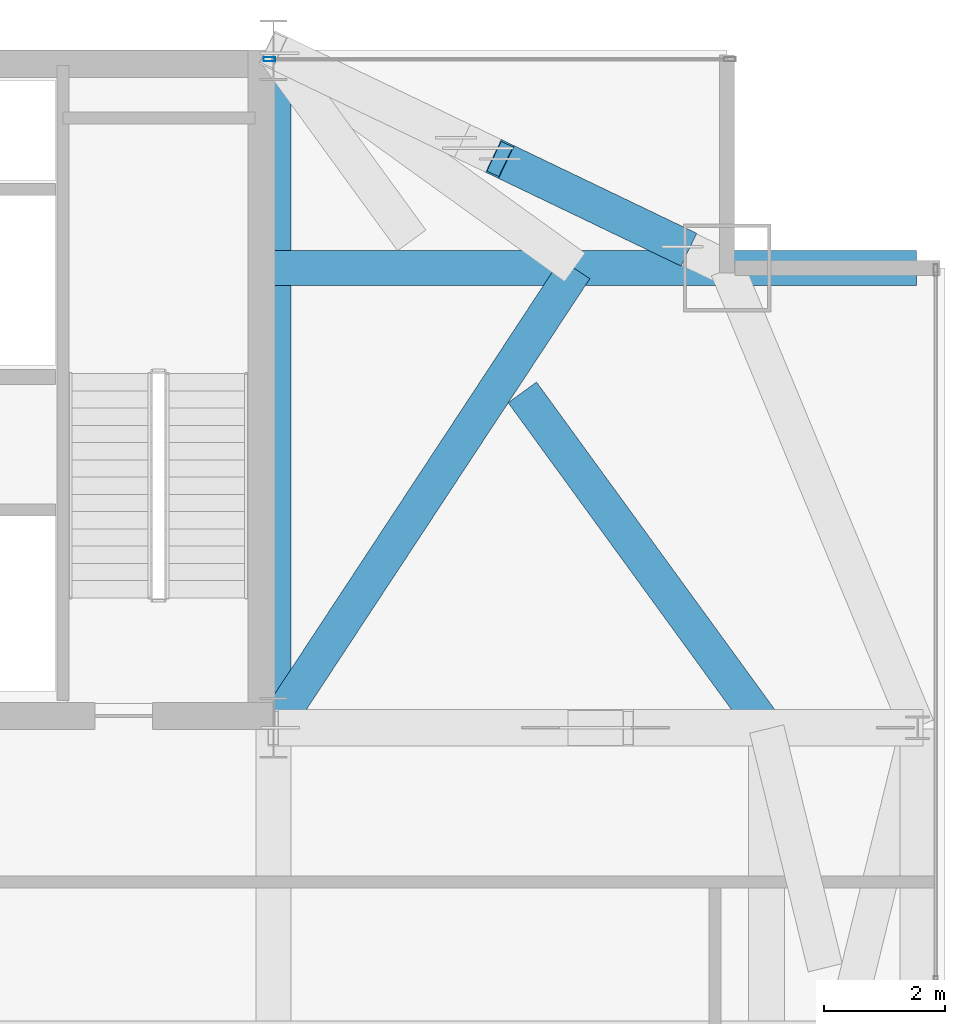
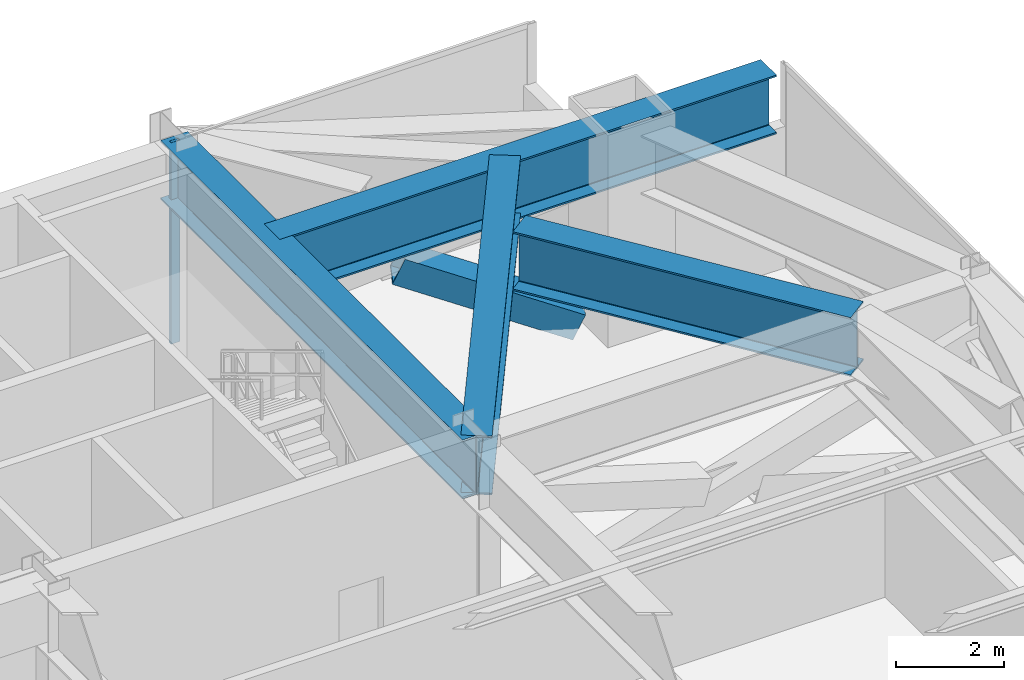
# One storey, part 23 of 32: 4 beams, 2 members, 1 element without a shape of its own.
"""IFC4 building model written with IfcOpenShell, lengths in metres."""

from ifc_helpers import new_model, si_unit, direction, frame, origin, origin_2d, place, context, subcontext, project, spatial, hollow_rectangle, i_section, extrude, source, transform, mapped, material, layer, layer_set, material_profile, profile_set, type_object, type_shapes, element, aggregate, save


model = new_model("IFC4")

# Units and contexts
model_context = context("Model", 3, precision=1e-05, world=origin(), true_north=direction((0.0, 1.0)))
body_context = subcontext(model_context, "Body", "Model", "MODEL_VIEW")
ifc_project = project(units=[si_unit("LENGTHUNIT", "METRE"), si_unit("AREAUNIT", "SQUARE_METRE"), si_unit("VOLUMEUNIT", "CUBIC_METRE"), si_unit("PLANEANGLEUNIT", "RADIAN"), si_unit("MASSUNIT", "GRAM", prefix="KILO")], contexts=[model_context])

# Site, building, storey
site_placement = place(None, origin())
site = spatial("IfcSite", under=ifc_project, at=site_placement, CompositionType="ELEMENT")
building_placement = place(site_placement, origin())
building = spatial("IfcBuilding", under=site, at=building_placement, Name="Varnel Quay Broadcast Tower", CompositionType="ELEMENT")
storey_placement = place(building_placement, frame((0.0, 0.0, 141.0)))
storey = spatial("IfcBuildingStorey", under=building, at=storey_placement, Name="L34", CompositionType="ELEMENT", Elevation=141.0)

# Beams
ifc_material_1 = material(Name="Structural Steel CSA G40.21 350WT", Category="steel")
ifc_material_profile_1 = material_profile(ifc_material_1, i_section(OverallWidth=0.580078125, OverallDepth=1.330078125, WebThickness=0.02197265625, FlangeThickness=0.0380859375, FilletRadius=0.02001953125, at=origin_2d()), Name="WWF1330X535")
ifc_profile_set_1 = profile_set([ifc_material_profile_1], Name="Structural Steel CSA G40.21 350WT")
beam_type = type_object("IfcBeamType", Name="Girder_WWF1330X535", PredefinedType="BEAM", material=ifc_profile_set_1)
shared_shape_1 = source(origin(), body_context, "Body", "SweptSolid", [
    extrude(i_section(OverallWidth=0.580078125, OverallDepth=1.330078125, WebThickness=0.02197265625, FlangeThickness=0.0380859375, FilletRadius=0.02001953125, at=origin_2d()), origin(), (0.0, 0.0, 1.0), 11.159912109375),
])
beam_1_placement = place(storey_placement, frame((52.39990234375, 35.6201171875, 3.885009765625), z_axis=(0.0, 1.0, 0.0), x_axis=(-1.0, 0.0, 0.0)))
element("IfcBeam", 1, at=beam_1_placement, inside=storey, type_object=beam_type, Name="L34 East Core Spine", PredefinedType="BEAM", context=body_context, shape_type="MappedRepresentation", body=[
    mapped(shared_shape_1, transform((0.0, 0.0, 0.0), x_axis=(1.0, 0.0, 0.0), y_axis=(0.0, 1.0, 0.0), z_axis=(0.0, 0.0, 1.0), scale=1.0)),
])
shared_shape_2 = source(origin(), body_context, "Body", "SweptSolid", [
    extrude(i_section(OverallWidth=0.580078125, OverallDepth=1.330078125, WebThickness=0.02197265625, FlangeThickness=0.0380859375, FilletRadius=0.02001953125, at=origin_2d()), origin(), (0.0, 0.0, 1.0), 10.610107421875),
])
beam_2_placement = place(storey_placement, frame((52.419921875, 43.199951171875, 3.885009765625), z_axis=(1.0, 0.0, 0.0), x_axis=(0.0, 1.0, 0.0)))
element("IfcBeam", 2, at=beam_2_placement, inside=storey, type_object=beam_type, Name="L34 Setback NE Mega-Column Transfer", PredefinedType="BEAM", context=body_context, shape_type="MappedRepresentation", body=[
    mapped(shared_shape_2, transform((0.0, 0.0, 0.0), x_axis=(1.0, 0.0, 0.0), y_axis=(0.0, 1.0, 0.0), z_axis=(0.0, 0.0, 1.0), scale=1.0)),
])
shared_shape_3 = source(origin(), body_context, "Body", "SweptSolid", [
    extrude(i_section(OverallWidth=0.580078125, OverallDepth=1.330078125, WebThickness=0.02197265625, FlangeThickness=0.0380859375, FilletRadius=0.02001953125, at=origin_2d()), origin(), (0.0, 0.0, 1.0), 9.057373046875),
])
beam_3_placement = place(storey_placement, frame((52.410888671875, 35.61669921875, 3.885009765625), z_axis=(0.549614026141, 0.835418710749, 0.0), x_axis=(-0.835418710749, 0.549614026141, 0.0)))
element("IfcBeam", 3, at=beam_3_placement, inside=storey, type_object=beam_type, Name="L34 X-Braced Transfer Tie MC-NE-CC-S5", PredefinedType="BEAM", context=body_context, shape_type="MappedRepresentation", body=[
    mapped(shared_shape_3, transform((0.0, 0.0, 0.0), x_axis=(1.0, 0.0, 0.0), y_axis=(0.0, 1.0, 0.0), z_axis=(0.0, 0.0, 1.0), scale=1.0)),
])
shared_shape_4 = source(origin(), body_context, "Body", "SweptSolid", [
    extrude(i_section(OverallWidth=0.580078125, OverallDepth=1.330078125, WebThickness=0.02197265625, FlangeThickness=0.0380859375, FilletRadius=0.02001953125, at=origin_2d()), origin(), (0.0, 0.0, 1.0), 6.837646484375),
])
type_shapes(beam_type, [shared_shape_1, shared_shape_2, shared_shape_3, shared_shape_4])
beam_4_placement = place(storey_placement, frame((56.514892578125, 41.14501953125, 3.885009765625), z_axis=(0.588386101243, -0.808580110975, 0.0), x_axis=(0.808580110975, 0.588386101243, 0.0)))
element("IfcBeam", 4, at=beam_4_placement, inside=storey, type_object=beam_type, Name="L34 X-Braced Transfer Tie TC-E3-CC-N5 Part 2", PredefinedType="BEAM", context=body_context, shape_type="MappedRepresentation", body=[
    mapped(shared_shape_4, transform((0.0, 0.0, 0.0), x_axis=(1.0, 0.0, 0.0), y_axis=(0.0, 1.0, 0.0), z_axis=(0.0, 0.0, 1.0), scale=1.0)),
])

# Member
ifc_material_profile_2 = material_profile(ifc_material_1, hollow_rectangle(XDim=0.60009765625, YDim=0.60009765625, WallThickness=0.028076171875, at=origin_2d()), Name="BOX600X600X28")
ifc_profile_set_2 = profile_set([ifc_material_profile_2], Name="Structural Steel CSA G40.21 350WT")
member_type_1 = type_object("IfcMemberType", Name="Outrigger_BOX600X600X28", PredefinedType="BRACE", material=ifc_profile_set_2)
shared_shape_5 = source(origin(), body_context, "Body", "SweptSolid", [
    extrude(hollow_rectangle(XDim=0.60009765625, YDim=0.60009765625, WallThickness=0.028076171875, at=origin_2d()), origin(), (0.0, 0.0, 1.0), 3.642333984375),
])
type_shapes(member_type_1, [shared_shape_5])
member_1_placement = place(storey_placement, frame((59.16162109375, 43.554443359375, 0.02001953125), z_axis=(-0.828425025258, 0.397622562491, 0.394472147718), x_axis=(-0.432712095994, -0.901532163586, 0.0)))
element("IfcMember", 5, at=member_1_placement, inside=storey, type_object=member_type_1, Name="L34 Outrigger NE Split Diag B1", PredefinedType="BRACE", context=body_context, shape_type="MappedRepresentation", body=[
    mapped(shared_shape_5, transform((0.0, 0.0, 0.0), x_axis=(1.0, 0.0, 0.0), y_axis=(0.0, 1.0, 0.0), z_axis=(0.0, 0.0, 1.0), scale=1.0)),
])

# Curtain wall, member
ifc_material_2 = material(Name="Anodised Bronze Aluminium 6063-T6", Category="aluminium")
ifc_layer = layer(ifc_material_2, 0.18994140625, Name="Anodised Bronze Aluminium 6063-T6")
ifc_layer_set = layer_set([ifc_layer], Name="Anodised Bronze Aluminium 6063-T6")
curtain_wall_type = type_object("IfcCurtainWallType", Name="CW_CrownScreen", PredefinedType="NOTDEFINED", material=ifc_layer_set)
curtain_wall_placement = place(storey_placement, origin())
curtain_wall = element("IfcCurtainWall", 6, at=curtain_wall_placement, inside=storey, type_object=curtain_wall_type, Name="L34 NE Wing Curtain Wall", PredefinedType="NOTDEFINED")
ifc_material_profile_3 = material_profile(ifc_material_2, hollow_rectangle(XDim=0.070068359375, YDim=0.18994140625, WallThickness=0.00390625, at=origin_2d()), Name="ALU70X190X4")
ifc_profile_set_3 = profile_set([ifc_material_profile_3], Name="Anodised Bronze Aluminium 6063-T6")
member_type_2 = type_object("IfcMemberType", Name="Mull_CWS-06", PredefinedType="MULLION", material=ifc_profile_set_3)
shared_shape_6 = source(origin(), body_context, "Body", "SweptSolid", [
    extrude(hollow_rectangle(XDim=0.070068359375, YDim=0.18994140625, WallThickness=0.00390625, at=origin_2d()), origin(), (0.0, 0.0, 1.0), 4.550048828125),
])
type_shapes(member_type_2, [shared_shape_6])
member_2_placement = place(storey_placement, frame((52.3349609375, 46.64990234375, 0.0), z_axis=(0.0, 0.0, 1.0), x_axis=(0.0, 1.0, 0.0)))
member_2 = element("IfcMember", 7, at=member_2_placement, type_object=member_type_2, Name="CWS-06 mullion 1", PredefinedType="MULLION", context=body_context, shape_type="MappedRepresentation", body=[
    mapped(shared_shape_6, transform((0.0, 0.0, 0.0), x_axis=(1.0, 0.0, 0.0), y_axis=(0.0, 1.0, 0.0), z_axis=(0.0, 0.0, 1.0), scale=1.0)),
])
aggregate(curtain_wall, [member_2])

save(model, "model.ifc")
